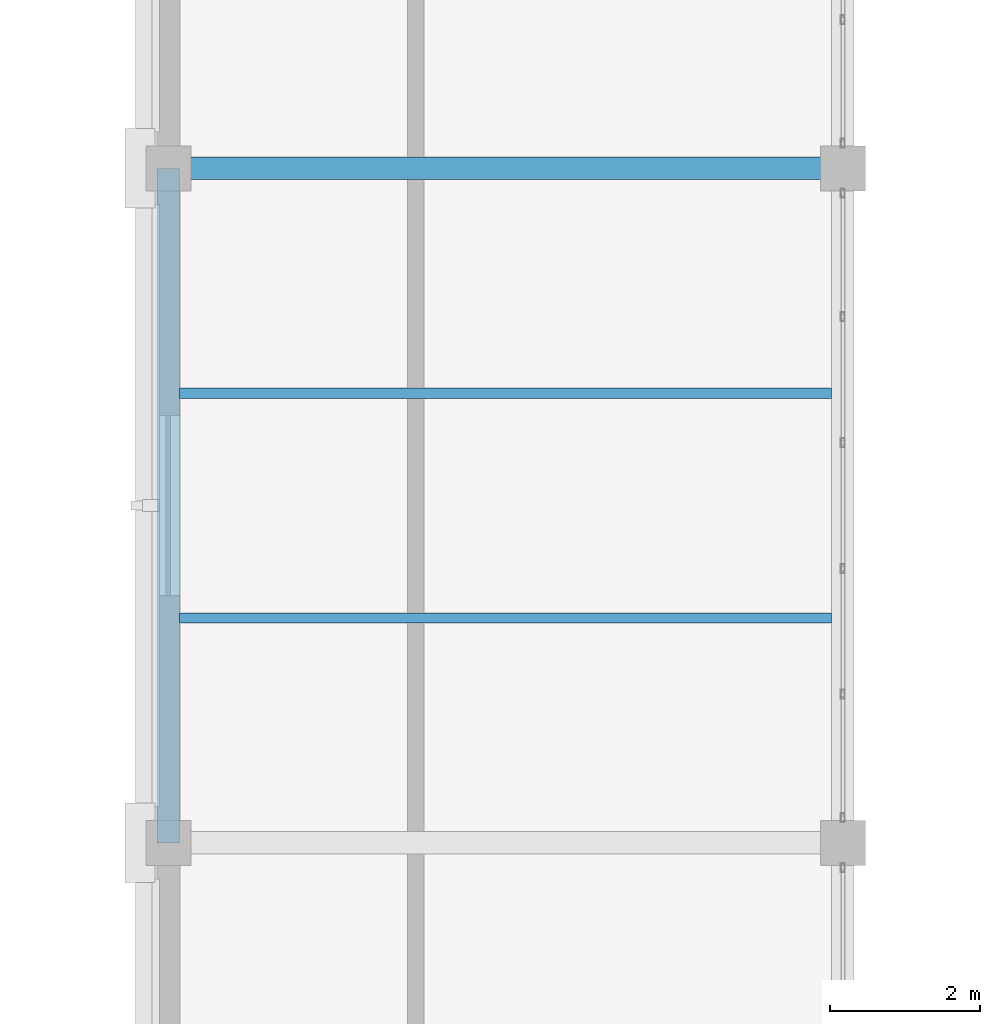
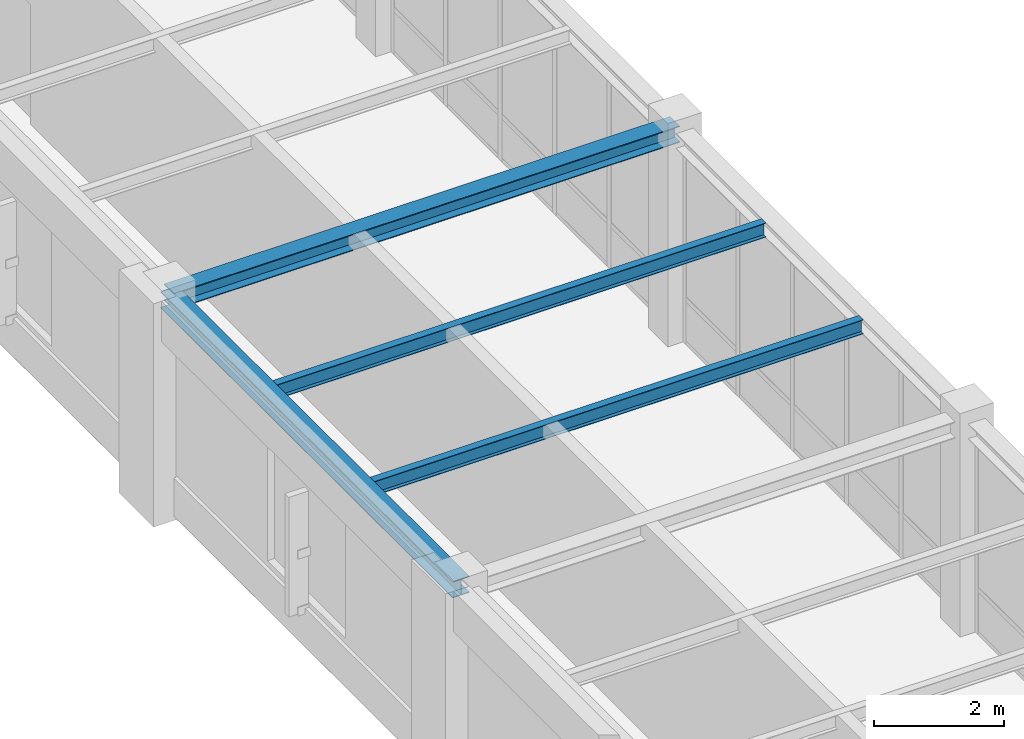
# One storey, part 54 of 130: 4 beams.
"""IFC4 building model written with IfcOpenShell, lengths in metres."""

import ifcopenshell
import ifcopenshell.guid

model = None  # the IFC model being written
_history = None  # IfcOwnerHistory: only IFC2X3 demands one
_inside = {}  # id of a spatial element -> (the spatial element, [elements in it])
_under = {}  # id of a project, library or spatial element -> (it, [spatial elements below it])
_declared = {}  # id of a project -> (the project, [libraries it declares])
_typed = {}  # id of a type object -> (the type object, [elements of that type])
_made_of = {}  # id of a material, layer set ... -> (it, [elements and type objects made of it])


def new_model(schema):
    """Start an empty IFC model of exactly this schema.

    Asked for "IFC4X3", IfcOpenShell would pick the latest addendum, in which some entities
    have other attributes; the version numbers below select the first issue.
    IFC2X3 requires an IfcOwnerHistory on every rooted entity: one is made here for all.
    """
    global model, _history
    if schema == "IFC4X3":
        model = ifcopenshell.file(schema_version=(4, 3, 0, 0))
    else:
        model = ifcopenshell.file(schema=schema)
    _inside.clear()
    _under.clear()
    _declared.clear()
    _typed.clear()
    _made_of.clear()
    _history = None
    if model.schema == "IFC2X3":
        org = make("IfcOrganization", Name="unknown")
        user = make(
            "IfcPersonAndOrganization",
            ThePerson=make("IfcPerson", FamilyName="unknown"),
            TheOrganization=org,
        )
        app = make(
            "IfcApplication",
            ApplicationDeveloper=org,
            Version="unknown",
            ApplicationFullName="unknown",
            ApplicationIdentifier="unknown",
        )
        _history = make(
            "IfcOwnerHistory",
            OwningUser=user,
            OwningApplication=app,
            ChangeAction="ADDED",
            CreationDate=0,
        )
    return model


def make(cls, **values):
    """One entity of the class cls with the attributes given. An attribute that is None is left unset."""
    return model.create_entity(
        cls, **{name: value for name, value in values.items() if value is not None}
    )


def rooted(cls, **values):
    """An entity with a GlobalId (a new one), such as an element, a storey or a relation."""
    return make(cls, GlobalId=ifcopenshell.guid.new(), OwnerHistory=_history, **values)


def si_unit(unit_type, name, prefix=None):
    """IfcSIUnit, for example si_unit("LENGTHUNIT", "METRE", prefix="MILLI")."""
    return make("IfcSIUnit", UnitType=unit_type, Prefix=prefix, Name=name)


def assignment(units):
    """IfcUnitAssignment: the units of a project."""
    return None if units is None else make("IfcUnitAssignment", Units=units)


def point(xyz):
    """IfcCartesianPoint."""
    return None if xyz is None else make("IfcCartesianPoint", Coordinates=xyz)


def direction(xyz):
    """IfcDirection."""
    return None if xyz is None else make("IfcDirection", DirectionRatios=xyz)


def frame(location, z_axis=None, x_axis=None):
    """IfcAxis2Placement3D, a coordinate frame: its origin and axes. An axis left out is left unset."""
    return make(
        "IfcAxis2Placement3D",
        Location=point(location),
        Axis=direction(z_axis),
        RefDirection=direction(x_axis),
    )


def frame_2d(location, x_axis=None):
    """IfcAxis2Placement2D, a coordinate frame in the plane: its origin and x axis."""
    return make(
        "IfcAxis2Placement2D", Location=point(location), RefDirection=direction(x_axis)
    )


def origin():
    """The frame at (0, 0, 0) with its axes left unset."""
    return frame((0.0, 0.0, 0.0))


def origin_2d():
    """The frame at (0, 0) in the plane with its x axis left unset."""
    return frame_2d((0.0, 0.0))


def place(relative_to, where):
    """IfcLocalPlacement: puts the frame where relative to a parent placement (None: the world)."""
    return make(
        "IfcLocalPlacement", PlacementRelTo=relative_to, RelativePlacement=where
    )


def context(
    kind, dimensions, precision=None, world=None, true_north=None, identifier=None
):
    """IfcGeometricRepresentationContext, for example the 3D "Model" context."""
    return make(
        "IfcGeometricRepresentationContext",
        ContextIdentifier=identifier,
        ContextType=kind,
        CoordinateSpaceDimension=dimensions,
        Precision=precision,
        WorldCoordinateSystem=world,
        TrueNorth=true_north,
    )


def subcontext(parent, identifier, kind, view, scale=None):
    """IfcGeometricRepresentationSubContext, for example "Body" below "Model"."""
    return make(
        "IfcGeometricRepresentationSubContext",
        ContextIdentifier=identifier,
        ContextType=kind,
        ParentContext=parent,
        TargetScale=scale,
        TargetView=view,
    )


def project(units=None, contexts=None):
    """IfcProject with its units and contexts."""
    return rooted(
        "IfcProject",
        Name="project",
        RepresentationContexts=contexts,
        UnitsInContext=assignment(units),
    )


def spatial(cls, under=None, at=None, **own):
    """A site, building, storey or space (cls), placed at a placement, below another one or the project."""
    s = rooted(cls, ObjectPlacement=at, **own)
    if under is not None:
        _under.setdefault(under.id(), (under, []))[1].append(s)
    return s


def profile(cls, at=None, kind="AREA", **sizes):
    """A parametric profile (cls). Its sizes go by their IFC names, for example OverallWidth=200.0."""
    return make(cls, ProfileType=kind, Position=at, **sizes)


def i_section(**sizes):
    """IfcIShapeProfileDef."""
    return profile("IfcIShapeProfileDef", **sizes)


def extrude(swept, where, along, depth):
    """IfcExtrudedAreaSolid: the profile swept, set in the frame where, extruded along a direction by depth."""
    return make(
        "IfcExtrudedAreaSolid",
        SweptArea=swept,
        Position=where,
        ExtrudedDirection=direction(along),
        Depth=depth,
    )


def shape(context_of_items, identifier, shape_type, items):
    """IfcShapeRepresentation: the items that make up one representation, for example the "Body"."""
    return make(
        "IfcShapeRepresentation",
        ContextOfItems=context_of_items,
        RepresentationIdentifier=identifier,
        RepresentationType=shape_type,
        Items=items,
    )


def material(Name=None, Category=None):
    """IfcMaterial."""
    return make("IfcMaterial", Name=Name, Category=Category)


def material_profile(
    of_material, cross_section, Name=None, Category=None, Priority=None
):
    """IfcMaterialProfile: a cross section and its material."""
    return make(
        "IfcMaterialProfile",
        Name=Name,
        Material=of_material,
        Profile=cross_section,
        Priority=Priority,
        Category=Category,
    )


def profile_set(profiles, Name=None, composite=None):
    """IfcMaterialProfileSet."""
    return make(
        "IfcMaterialProfileSet",
        Name=Name,
        MaterialProfiles=profiles,
        CompositeProfile=composite,
    )


def made_of(thing, what):
    """Note that an element or type object is made of a material, layer set ...; save() writes the relation."""
    if what is not None:
        _made_of.setdefault(what.id(), (what, []))[1].append(thing)
    return thing


def type_object(cls, material=None, **own):
    """A type object (cls), such as IfcWallType, which elements share."""
    return made_of(rooted(cls, **own), material)


def element(
    cls,
    number,
    at=None,
    inside=None,
    cuts=None,
    type_object=None,
    material=None,
    context=None,
    identifier="Body",
    shape_type=None,
    held_by="IfcProductDefinitionShape",
    body=None,
    shapes=None,
    **own,
):
    """One element of the class cls, such as IfcWall. Its Tag is "e" and its number.

    at: its placement. inside: the storey or other place that contains it. cuts: it is an
    opening in that element (IfcRelVoidsElement). A single representation is given by context,
    identifier, shape_type and body (its items); several are given by shapes. held_by: the class
    of the entity that holds the representations. save() writes the other relations.
    """
    e = rooted(cls, Tag="e%d" % number, ObjectPlacement=at, **own)
    if body is not None:
        shapes = [shape(context, identifier, shape_type, body)]
    if shapes is not None:
        e.Representation = make(held_by, Representations=shapes)
    if inside is not None:
        _inside.setdefault(inside.id(), (inside, []))[1].append(e)
    if cuts is not None:
        rooted(
            "IfcRelVoidsElement", RelatingBuildingElement=cuts, RelatedOpeningElement=e
        )
    if type_object is not None:
        _typed.setdefault(type_object.id(), (type_object, []))[1].append(e)
    return made_of(e, material)


def aggregate(whole, parts):
    """IfcRelAggregates: a whole, such as a stair, and the parts it consists of."""
    return rooted("IfcRelAggregates", RelatingObject=whole, RelatedObjects=parts)


def save(model, path):
    """Write the relations noted so far, then the file.

    IfcRelAggregates (storeys below a building ...), IfcRelContainedInSpatialStructure (elements
    in a storey), IfcRelDefinesByType, IfcRelAssociatesMaterial and IfcRelDeclares: one each for
    every whole, place, type object, material and project.
    """
    for whole, parts in _under.values():
        aggregate(whole, parts)
    for where, things in _inside.values():
        rooted(
            "IfcRelContainedInSpatialStructure",
            RelatedElements=things,
            RelatingStructure=where,
        )
    for kind, things in _typed.values():
        rooted("IfcRelDefinesByType", RelatedObjects=things, RelatingType=kind)
    for what, things in _made_of.values():
        rooted("IfcRelAssociatesMaterial", RelatedObjects=things, RelatingMaterial=what)
    for by, libraries in _declared.values():
        rooted("IfcRelDeclares", RelatingContext=by, RelatedDefinitions=libraries)
    model.write(path)


model = new_model("IFC4")

# Units and contexts
model_context = context("Model", 3, precision=1e-05, world=origin(), true_north=direction((0.0, 1.0)))
body_context = subcontext(model_context, "Body", "Model", "MODEL_VIEW")
ifc_project = project(units=[si_unit("LENGTHUNIT", "METRE"), si_unit("AREAUNIT", "SQUARE_METRE"), si_unit("VOLUMEUNIT", "CUBIC_METRE"), si_unit("PLANEANGLEUNIT", "RADIAN"), si_unit("MASSUNIT", "GRAM", prefix="KILO")], contexts=[model_context])

# Site, building, storey
site_placement = place(None, origin())
site = spatial("IfcSite", under=ifc_project, at=site_placement, CompositionType="ELEMENT")
building_placement = place(site_placement, origin())
building = spatial("IfcBuilding", under=site, at=building_placement, Name="Lykobir Media Centre", CompositionType="ELEMENT")
storey_placement = place(building_placement, frame((0.0, 0.0, 19.199951171875)))
storey = spatial("IfcBuildingStorey", under=building, at=storey_placement, Name="L04", CompositionType="ELEMENT", Elevation=19.199951171875)

# Beams
ifc_material = material(Name="Steel S355", Category="steel")
ifc_material_profile_1 = material_profile(ifc_material, i_section(OverallWidth=0.300048828125, OverallDepth=0.31005859375, WebThickness=0.009033203125, FlangeThickness=0.015380859375, at=origin_2d()), Name="HEA 320")
ifc_profile_set_1 = profile_set([ifc_material_profile_1], Name="Steel S355")
beam_type_1 = type_object("IfcBeamType", Name="BM-HEA320", PredefinedType="BEAM", material=ifc_profile_set_1)
beam_1_placement = place(storey_placement, frame((90.0, 54.0, 3.804931640625), z_axis=(1.0, 0.0, 0.0), x_axis=(0.0, 1.0, 0.0)))
element("IfcBeam", 1, at=beam_1_placement, inside=storey, type_object=beam_type_1, Name="Beam BM-L04-0900-0540-0990-0540-2300", PredefinedType="BEAM", context=body_context, shape_type="SweptSolid", body=[
    extrude(i_section(OverallWidth=0.300048828125, OverallDepth=0.31005859375, WebThickness=0.009033203125, FlangeThickness=0.015380859375, at=origin_2d()), origin(), (0.0, 0.0, 1.0), 9.0),
])
ifc_material_profile_2 = material_profile(ifc_material, i_section(OverallWidth=0.135009765625, OverallDepth=0.27001953125, WebThickness=0.006591796875, FlangeThickness=0.01025390625, at=origin_2d()), Name="IPE 270")
ifc_profile_set_2 = profile_set([ifc_material_profile_2], Name="Steel S355")
beam_type_2 = type_object("IfcBeamType", Name="JS-IPE270", PredefinedType="JOIST", material=ifc_profile_set_2)
for number, where, z_axis, x_axis, name in (
    (2, (90.14990234375, 48.0, 3.824951171875), (1.0, 0.0, 0.0), (0.0, 1.0, 0.0), "Beam BM-L04-0902-0480-0988-0480-2302"),
    (3, (90.14990234375, 51.0, 3.824951171875), (1.0, 0.0, 0.0), (0.0, 1.0, 0.0), "Beam BM-L04-0902-0510-0988-0510-2302"),
):
    element("IfcBeam", number, at=place(storey_placement, frame(where, z_axis=z_axis, x_axis=x_axis)), inside=storey, type_object=beam_type_2, Name=name, PredefinedType="JOIST", context=body_context, shape_type="SweptSolid", body=[
        extrude(i_section(OverallWidth=0.135009765625, OverallDepth=0.27001953125, WebThickness=0.006591796875, FlangeThickness=0.01025390625, at=origin_2d()), origin(), (0.0, 0.0, 1.0), 8.7001953125),
    ])
ifc_material_profile_3 = material_profile(ifc_material, i_section(OverallWidth=0.300048828125, OverallDepth=0.31005859375, WebThickness=0.009033203125, FlangeThickness=0.015380859375, at=origin_2d()), Name="HEA 320")
ifc_profile_set_3 = profile_set([ifc_material_profile_3], Name="Steel S355")
beam_type_3 = type_object("IfcBeamType", Name="SP-HEA320-E", PredefinedType="SPANDREL", material=ifc_profile_set_3)
beam_2_placement = place(storey_placement, frame((90.0, 45.0, 3.804931640625), z_axis=(0.0, 1.0, 0.0), x_axis=(-1.0, 0.0, 0.0)))
element("IfcBeam", 4, at=beam_2_placement, inside=storey, type_object=beam_type_3, Name="Beam BM-L04-0900-0450-0900-0540-2300", PredefinedType="SPANDREL", context=body_context, shape_type="SweptSolid", body=[
    extrude(i_section(OverallWidth=0.300048828125, OverallDepth=0.31005859375, WebThickness=0.009033203125, FlangeThickness=0.015380859375, at=origin_2d()), origin(), (0.0, 0.0, 1.0), 9.0),
])

save(model, "model.ifc")
